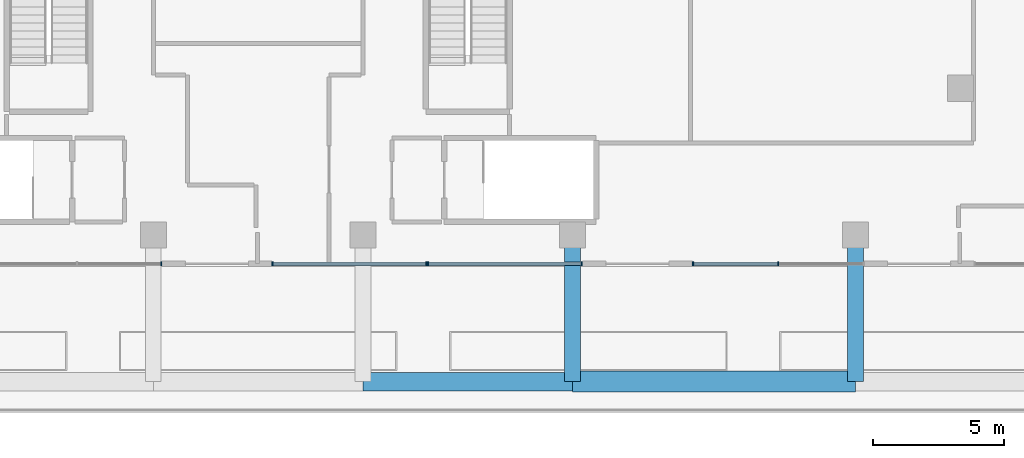
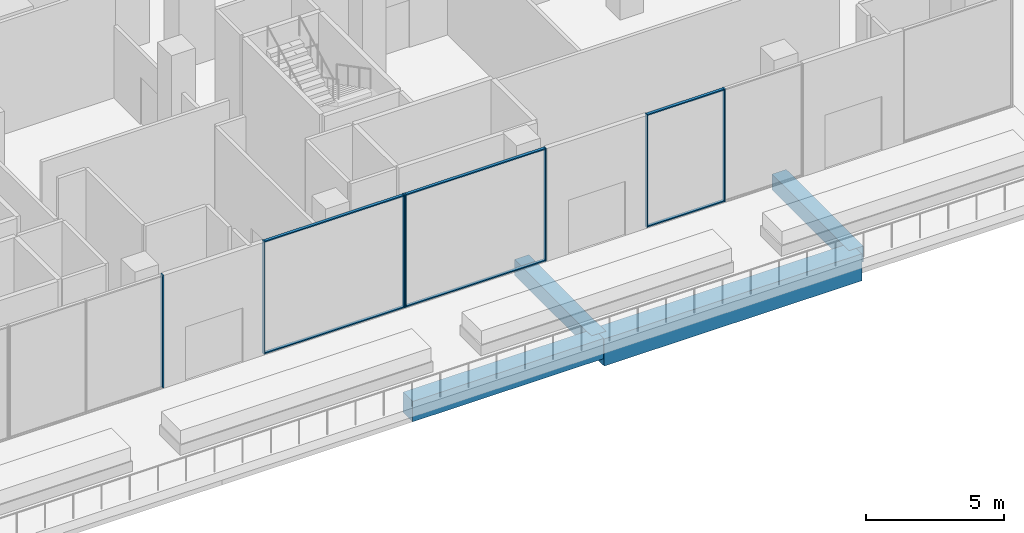
# One storey, part 6 of 32: 13 members, 4 beams, 4 elements without a shape of their own.
"""IFC4 building model written with IfcOpenShell, lengths in metres."""

import ifcopenshell
import ifcopenshell.guid

model = None  # the IFC model being written
_history = None  # IfcOwnerHistory: only IFC2X3 demands one
_inside = {}  # id of a spatial element -> (the spatial element, [elements in it])
_under = {}  # id of a project, library or spatial element -> (it, [spatial elements below it])
_declared = {}  # id of a project -> (the project, [libraries it declares])
_typed = {}  # id of a type object -> (the type object, [elements of that type])
_made_of = {}  # id of a material, layer set ... -> (it, [elements and type objects made of it])


def new_model(schema):
    """Start an empty IFC model of exactly this schema.

    Asked for "IFC4X3", IfcOpenShell would pick the latest addendum, in which some entities
    have other attributes; the version numbers below select the first issue.
    IFC2X3 requires an IfcOwnerHistory on every rooted entity: one is made here for all.
    """
    global model, _history
    if schema == "IFC4X3":
        model = ifcopenshell.file(schema_version=(4, 3, 0, 0))
    else:
        model = ifcopenshell.file(schema=schema)
    _inside.clear()
    _under.clear()
    _declared.clear()
    _typed.clear()
    _made_of.clear()
    _history = None
    if model.schema == "IFC2X3":
        org = make("IfcOrganization", Name="unknown")
        user = make(
            "IfcPersonAndOrganization",
            ThePerson=make("IfcPerson", FamilyName="unknown"),
            TheOrganization=org,
        )
        app = make(
            "IfcApplication",
            ApplicationDeveloper=org,
            Version="unknown",
            ApplicationFullName="unknown",
            ApplicationIdentifier="unknown",
        )
        _history = make(
            "IfcOwnerHistory",
            OwningUser=user,
            OwningApplication=app,
            ChangeAction="ADDED",
            CreationDate=0,
        )
    return model


def make(cls, **values):
    """One entity of the class cls with the attributes given. An attribute that is None is left unset."""
    return model.create_entity(
        cls, **{name: value for name, value in values.items() if value is not None}
    )


def rooted(cls, **values):
    """An entity with a GlobalId (a new one), such as an element, a storey or a relation."""
    return make(cls, GlobalId=ifcopenshell.guid.new(), OwnerHistory=_history, **values)


def si_unit(unit_type, name, prefix=None):
    """IfcSIUnit, for example si_unit("LENGTHUNIT", "METRE", prefix="MILLI")."""
    return make("IfcSIUnit", UnitType=unit_type, Prefix=prefix, Name=name)


def assignment(units):
    """IfcUnitAssignment: the units of a project."""
    return None if units is None else make("IfcUnitAssignment", Units=units)


def point(xyz):
    """IfcCartesianPoint."""
    return None if xyz is None else make("IfcCartesianPoint", Coordinates=xyz)


def direction(xyz):
    """IfcDirection."""
    return None if xyz is None else make("IfcDirection", DirectionRatios=xyz)


def frame(location, z_axis=None, x_axis=None):
    """IfcAxis2Placement3D, a coordinate frame: its origin and axes. An axis left out is left unset."""
    return make(
        "IfcAxis2Placement3D",
        Location=point(location),
        Axis=direction(z_axis),
        RefDirection=direction(x_axis),
    )


def frame_2d(location, x_axis=None):
    """IfcAxis2Placement2D, a coordinate frame in the plane: its origin and x axis."""
    return make(
        "IfcAxis2Placement2D", Location=point(location), RefDirection=direction(x_axis)
    )


def origin():
    """The frame at (0, 0, 0) with its axes left unset."""
    return frame((0.0, 0.0, 0.0))


def origin_2d():
    """The frame at (0, 0) in the plane with its x axis left unset."""
    return frame_2d((0.0, 0.0))


def place(relative_to, where):
    """IfcLocalPlacement: puts the frame where relative to a parent placement (None: the world)."""
    return make(
        "IfcLocalPlacement", PlacementRelTo=relative_to, RelativePlacement=where
    )


def context(
    kind, dimensions, precision=None, world=None, true_north=None, identifier=None
):
    """IfcGeometricRepresentationContext, for example the 3D "Model" context."""
    return make(
        "IfcGeometricRepresentationContext",
        ContextIdentifier=identifier,
        ContextType=kind,
        CoordinateSpaceDimension=dimensions,
        Precision=precision,
        WorldCoordinateSystem=world,
        TrueNorth=true_north,
    )


def subcontext(parent, identifier, kind, view, scale=None):
    """IfcGeometricRepresentationSubContext, for example "Body" below "Model"."""
    return make(
        "IfcGeometricRepresentationSubContext",
        ContextIdentifier=identifier,
        ContextType=kind,
        ParentContext=parent,
        TargetScale=scale,
        TargetView=view,
    )


def project(units=None, contexts=None):
    """IfcProject with its units and contexts."""
    return rooted(
        "IfcProject",
        Name="project",
        RepresentationContexts=contexts,
        UnitsInContext=assignment(units),
    )


def spatial(cls, under=None, at=None, **own):
    """A site, building, storey or space (cls), placed at a placement, below another one or the project."""
    s = rooted(cls, ObjectPlacement=at, **own)
    if under is not None:
        _under.setdefault(under.id(), (under, []))[1].append(s)
    return s


def profile(cls, at=None, kind="AREA", **sizes):
    """A parametric profile (cls). Its sizes go by their IFC names, for example OverallWidth=200.0."""
    return make(cls, ProfileType=kind, Position=at, **sizes)


def rectangle(**sizes):
    """IfcRectangleProfileDef."""
    return profile("IfcRectangleProfileDef", **sizes)


def extrude(swept, where, along, depth):
    """IfcExtrudedAreaSolid: the profile swept, set in the frame where, extruded along a direction by depth."""
    return make(
        "IfcExtrudedAreaSolid",
        SweptArea=swept,
        Position=where,
        ExtrudedDirection=direction(along),
        Depth=depth,
    )


def shape(context_of_items, identifier, shape_type, items):
    """IfcShapeRepresentation: the items that make up one representation, for example the "Body"."""
    return make(
        "IfcShapeRepresentation",
        ContextOfItems=context_of_items,
        RepresentationIdentifier=identifier,
        RepresentationType=shape_type,
        Items=items,
    )


def material(Name=None, Category=None):
    """IfcMaterial."""
    return make("IfcMaterial", Name=Name, Category=Category)


def layer(
    of_material, thickness, ventilated=None, Name=None, Category=None, Priority=None
):
    """IfcMaterialLayer: one layer of a wall or slab, of a material (None: an air gap)."""
    return make(
        "IfcMaterialLayer",
        Material=of_material,
        LayerThickness=thickness,
        IsVentilated=ventilated,
        Name=Name,
        Category=Category,
        Priority=Priority,
    )


def layer_set(layers, Name=None):
    """IfcMaterialLayerSet."""
    return make("IfcMaterialLayerSet", MaterialLayers=layers, LayerSetName=Name)


def material_profile(
    of_material, cross_section, Name=None, Category=None, Priority=None
):
    """IfcMaterialProfile: a cross section and its material."""
    return make(
        "IfcMaterialProfile",
        Name=Name,
        Material=of_material,
        Profile=cross_section,
        Priority=Priority,
        Category=Category,
    )


def profile_set(profiles, Name=None, composite=None):
    """IfcMaterialProfileSet."""
    return make(
        "IfcMaterialProfileSet",
        Name=Name,
        MaterialProfiles=profiles,
        CompositeProfile=composite,
    )


def made_of(thing, what):
    """Note that an element or type object is made of a material, layer set ...; save() writes the relation."""
    if what is not None:
        _made_of.setdefault(what.id(), (what, []))[1].append(thing)
    return thing


def type_object(cls, material=None, **own):
    """A type object (cls), such as IfcWallType, which elements share."""
    return made_of(rooted(cls, **own), material)


def element(
    cls,
    number,
    at=None,
    inside=None,
    cuts=None,
    type_object=None,
    material=None,
    context=None,
    identifier="Body",
    shape_type=None,
    held_by="IfcProductDefinitionShape",
    body=None,
    shapes=None,
    **own,
):
    """One element of the class cls, such as IfcWall. Its Tag is "e" and its number.

    at: its placement. inside: the storey or other place that contains it. cuts: it is an
    opening in that element (IfcRelVoidsElement). A single representation is given by context,
    identifier, shape_type and body (its items); several are given by shapes. held_by: the class
    of the entity that holds the representations. save() writes the other relations.
    """
    e = rooted(cls, Tag="e%d" % number, ObjectPlacement=at, **own)
    if body is not None:
        shapes = [shape(context, identifier, shape_type, body)]
    if shapes is not None:
        e.Representation = make(held_by, Representations=shapes)
    if inside is not None:
        _inside.setdefault(inside.id(), (inside, []))[1].append(e)
    if cuts is not None:
        rooted(
            "IfcRelVoidsElement", RelatingBuildingElement=cuts, RelatedOpeningElement=e
        )
    if type_object is not None:
        _typed.setdefault(type_object.id(), (type_object, []))[1].append(e)
    return made_of(e, material)


def aggregate(whole, parts):
    """IfcRelAggregates: a whole, such as a stair, and the parts it consists of."""
    return rooted("IfcRelAggregates", RelatingObject=whole, RelatedObjects=parts)


def save(model, path):
    """Write the relations noted so far, then the file.

    IfcRelAggregates (storeys below a building ...), IfcRelContainedInSpatialStructure (elements
    in a storey), IfcRelDefinesByType, IfcRelAssociatesMaterial and IfcRelDeclares: one each for
    every whole, place, type object, material and project.
    """
    for whole, parts in _under.values():
        aggregate(whole, parts)
    for where, things in _inside.values():
        rooted(
            "IfcRelContainedInSpatialStructure",
            RelatedElements=things,
            RelatingStructure=where,
        )
    for kind, things in _typed.values():
        rooted("IfcRelDefinesByType", RelatedObjects=things, RelatingType=kind)
    for what, things in _made_of.values():
        rooted("IfcRelAssociatesMaterial", RelatedObjects=things, RelatingMaterial=what)
    for by, libraries in _declared.values():
        rooted("IfcRelDeclares", RelatingContext=by, RelatedDefinitions=libraries)
    model.write(path)


model = new_model("IFC4")

# Units and contexts
model_context = context("Model", 3, precision=1e-05, world=origin(), true_north=direction((0.0, 1.0)))
body_context = subcontext(model_context, "Body", "Model", "MODEL_VIEW")
ifc_project = project(units=[si_unit("LENGTHUNIT", "METRE"), si_unit("AREAUNIT", "SQUARE_METRE"), si_unit("VOLUMEUNIT", "CUBIC_METRE"), si_unit("PLANEANGLEUNIT", "RADIAN"), si_unit("MASSUNIT", "GRAM", prefix="KILO")], contexts=[model_context])

# Site, building, storey
site_placement = place(None, origin())
site = spatial("IfcSite", under=ifc_project, at=site_placement, CompositionType="ELEMENT")
building_placement = place(site_placement, origin())
building = spatial("IfcBuilding", under=site, at=building_placement, Name="Triada Interchange Tower", CompositionType="ELEMENT")
storey_placement = place(building_placement, frame((0.0, 0.0, 14.5)))
storey = spatial("IfcBuildingStorey", under=building, at=storey_placement, Name="L02", CompositionType="ELEMENT", Elevation=14.5)

# Curtain wall, member
ifc_material_1 = material(Name="Aluminium framed glazing", Category="aluminium")
ifc_layer = layer(ifc_material_1, 0.199951171875)
ifc_layer_set = layer_set([ifc_layer], Name="Curtain wall Retail shopfront")
curtain_wall_type = type_object("IfcCurtainWallType", Name="Curtain wall Retail shopfront", PredefinedType="NOTDEFINED", material=ifc_layer_set)
curtain_wall_1_placement = place(storey_placement, origin())
curtain_wall_1 = element("IfcCurtainWall", 1, at=curtain_wall_1_placement, inside=storey, type_object=curtain_wall_type, Name="Retail shopfront CW004 L02", PredefinedType="NOTDEFINED")
ifc_material_2 = material(Name="Aluminium", Category="aluminium")
ifc_material_profile_1 = material_profile(ifc_material_2, rectangle(XDim=0.14990234375, YDim=0.050048828125, at=origin_2d()), Name="Aluminium mullion")
ifc_profile_set_1 = profile_set([ifc_material_profile_1], Name="Aluminium")
member_type_1 = type_object("IfcMemberType", Name="Mullion Retail shopfront 150x50", PredefinedType="MULLION", material=ifc_profile_set_1)
member_1_placement = place(storey_placement, frame((-3.699951171875, -39.199951171875, 0.0), z_axis=(0.0, 0.0, 1.0), x_axis=(0.0, 1.0, 0.0)))
member_1 = element("IfcMember", 2, at=member_1_placement, type_object=member_type_1, Name="CW004 mullion 3", PredefinedType="MULLION", context=body_context, shape_type="SweptSolid", body=[
    extrude(rectangle(XDim=0.14990234375, YDim=0.050048828125, at=origin_2d()), origin(), (0.0, 0.0, 1.0), 5.0),
])
aggregate(curtain_wall_1, [member_1])

# Curtain wall, members
curtain_wall_2_placement = place(storey_placement, origin())
curtain_wall_2 = element("IfcCurtainWall", 3, at=curtain_wall_2_placement, inside=storey, type_object=curtain_wall_type, Name="Retail shopfront CW005 L02", PredefinedType="NOTDEFINED")
member_2_placement = place(storey_placement, frame((0.550048828125, -39.199951171875, 0.0), z_axis=(0.0, 0.0, 1.0), x_axis=(0.0, 1.0, 0.0)))
member_2 = element("IfcMember", 4, at=member_2_placement, type_object=member_type_1, Name="CW005 mullion 1", PredefinedType="MULLION", context=body_context, shape_type="SweptSolid", body=[
    extrude(rectangle(XDim=0.14990234375, YDim=0.050048828125, at=origin_2d()), origin(), (0.0, 0.0, 1.0), 5.0),
])
member_3_placement = place(storey_placement, frame((6.419921875, -39.199951171875, 0.0), z_axis=(0.0, 0.0, 1.0), x_axis=(0.0, 1.0, 0.0)))
member_3 = element("IfcMember", 5, at=member_3_placement, type_object=member_type_1, Name="CW005 mullion 2", PredefinedType="MULLION", context=body_context, shape_type="SweptSolid", body=[
    extrude(rectangle(XDim=0.14990234375, YDim=0.050048828125, at=origin_2d()), origin(), (0.0, 0.0, 1.0), 5.0),
])

curtain_wall_3_placement = place(storey_placement, origin())
curtain_wall_3 = element("IfcCurtainWall", 6, at=curtain_wall_3_placement, inside=storey, type_object=curtain_wall_type, Name="Retail shopfront CW006 L02", PredefinedType="NOTDEFINED")
member_4_placement = place(storey_placement, frame((6.47998046875, -39.199951171875, 0.0), z_axis=(0.0, 0.0, 1.0), x_axis=(0.0, 1.0, 0.0)))
member_4 = element("IfcMember", 7, at=member_4_placement, type_object=member_type_1, Name="CW006 mullion 1", PredefinedType="MULLION", context=body_context, shape_type="SweptSolid", body=[
    extrude(rectangle(XDim=0.14990234375, YDim=0.050048828125, at=origin_2d()), origin(), (0.0, 0.0, 1.0), 5.0),
])
member_5_placement = place(storey_placement, frame((12.35009765625, -39.199951171875, 0.0), z_axis=(0.0, 0.0, 1.0), x_axis=(0.0, 1.0, 0.0)))
member_5 = element("IfcMember", 8, at=member_5_placement, type_object=member_type_1, Name="CW006 mullion 2", PredefinedType="MULLION", context=body_context, shape_type="SweptSolid", body=[
    extrude(rectangle(XDim=0.14990234375, YDim=0.050048828125, at=origin_2d()), origin(), (0.0, 0.0, 1.0), 5.0),
])

curtain_wall_4_placement = place(storey_placement, origin())
curtain_wall_4 = element("IfcCurtainWall", 9, at=curtain_wall_4_placement, inside=storey, type_object=curtain_wall_type, Name="Retail shopfront CW007 L02", PredefinedType="NOTDEFINED")
member_6_placement = place(storey_placement, frame((16.60009765625, -39.199951171875, 0.0), z_axis=(0.0, 0.0, 1.0), x_axis=(0.0, 1.0, 0.0)))
member_6 = element("IfcMember", 10, at=member_6_placement, type_object=member_type_1, Name="CW007 mullion 1", PredefinedType="MULLION", context=body_context, shape_type="SweptSolid", body=[
    extrude(rectangle(XDim=0.14990234375, YDim=0.050048828125, at=origin_2d()), origin(), (0.0, 0.0, 1.0), 5.0),
])
member_7_placement = place(storey_placement, frame((19.85009765625, -39.199951171875, 0.0), z_axis=(0.0, 0.0, 1.0), x_axis=(0.0, 1.0, 0.0)))
member_7 = element("IfcMember", 11, at=member_7_placement, type_object=member_type_1, Name="CW007 mullion 2", PredefinedType="MULLION", context=body_context, shape_type="SweptSolid", body=[
    extrude(rectangle(XDim=0.14990234375, YDim=0.050048828125, at=origin_2d()), origin(), (0.0, 0.0, 1.0), 5.0),
])

# Beams
ifc_material_3 = material(Name="Concrete C40/50", Category="concrete")
ifc_material_profile_2 = material_profile(ifc_material_3, rectangle(XDim=0.60009765625, YDim=0.699951171875, at=origin_2d()), Name="RC 600x700")
ifc_profile_set_2 = profile_set([ifc_material_profile_2], Name="Concrete C40/50")
beam_type_1 = type_object("IfcBeamType", Name="Terrace beam RC 600x700", PredefinedType="BEAM", material=ifc_profile_set_2)
for number, where, z_axis, x_axis, name in (
    (12, (12.0, -43.699951171875, -0.75), (0.0, 1.0, 0.0), (-1.0, 0.0, 0.0), "Terrace beam TE16 L02"),
    (13, (22.800048828125, -43.699951171875, -0.75), (0.0, 1.0, 0.0), (-1.0, 0.0, 0.0), "Terrace beam TE17 L02"),
):
    element("IfcBeam", number, at=place(storey_placement, frame(where, z_axis=z_axis, x_axis=x_axis)), inside=storey, type_object=beam_type_1, Name=name, PredefinedType="BEAM", context=body_context, shape_type="SweptSolid", body=[
        extrude(rectangle(XDim=0.60009765625, YDim=0.699951171875, at=origin_2d()), origin(), (0.0, 0.0, 1.0), 5.599853515625),
    ])
ifc_material_profile_3 = material_profile(ifc_material_3, rectangle(XDim=0.699951171875, YDim=0.89990234375, at=origin_2d()), Name="RC 700x900")
ifc_profile_set_3 = profile_set([ifc_material_profile_3], Name="Concrete C40/50")
beam_type_2 = type_object("IfcBeamType", Name="Terrace beam RC 700x900", PredefinedType="BEAM", material=ifc_profile_set_3)
beam_1_placement = place(storey_placement, frame((4.0, -43.699951171875, -0.85009765625), z_axis=(1.0, 0.0, 0.0), x_axis=(0.0, 1.0, 0.0)))
element("IfcBeam", 14, at=beam_1_placement, inside=storey, type_object=beam_type_2, Name="Terrace beam TE23 L02", PredefinedType="BEAM", context=body_context, shape_type="SweptSolid", body=[
    extrude(rectangle(XDim=0.699951171875, YDim=0.89990234375, at=origin_2d()), origin(), (0.0, 0.0, 1.0), 8.0),
])
ifc_material_profile_4 = material_profile(ifc_material_3, rectangle(XDim=0.800048828125, YDim=1.199951171875, at=origin_2d()), Name="RC 800x1200")
ifc_profile_set_4 = profile_set([ifc_material_profile_4], Name="Concrete C40/50")
beam_type_3 = type_object("IfcBeamType", Name="Terrace beam RC 800x1200", PredefinedType="BEAM", material=ifc_profile_set_4)
beam_2_placement = place(storey_placement, frame((12.0, -43.699951171875, -1.0), z_axis=(1.0, 0.0, 0.0), x_axis=(0.0, 1.0, 0.0)))
element("IfcBeam", 15, at=beam_2_placement, inside=storey, type_object=beam_type_3, Name="Terrace beam TE24 L02", PredefinedType="BEAM", context=body_context, shape_type="SweptSolid", body=[
    extrude(rectangle(XDim=0.800048828125, YDim=1.199951171875, at=origin_2d()), origin(), (0.0, 0.0, 1.0), 10.800048828125),
])

# Member
ifc_material_profile_5 = material_profile(ifc_material_2, rectangle(XDim=0.1201171875, YDim=0.050048828125, at=origin_2d()), Name="Aluminium transom")
ifc_profile_set_5 = profile_set([ifc_material_profile_5], Name="Aluminium")
member_type_2 = type_object("IfcMemberType", Name="Transom Retail shopfront 120x50", PredefinedType="USERDEFINED", material=ifc_profile_set_5)
member_8_placement = place(storey_placement, frame((0.574951171875, -39.199951171875, 0.02490234375), z_axis=(1.0, 0.0, 0.0), x_axis=(0.0, 1.0, 0.0)))
member_8 = element("IfcMember", 16, at=member_8_placement, type_object=member_type_2, Name="CW005 transom 1.1", ObjectType="TRANSOM", PredefinedType="USERDEFINED", context=body_context, shape_type="SweptSolid", body=[
    extrude(rectangle(XDim=0.1201171875, YDim=0.050048828125, at=origin_2d()), origin(), (0.0, 0.0, 1.0), 5.820068359375),
])

member_9_placement = place(storey_placement, frame((0.574951171875, -39.199951171875, 4.97509765625), z_axis=(1.0, 0.0, 0.0), x_axis=(0.0, 1.0, 0.0)))
member_9 = element("IfcMember", 17, at=member_9_placement, type_object=member_type_2, Name="CW005 transom 1.2", ObjectType="TRANSOM", PredefinedType="USERDEFINED", context=body_context, shape_type="SweptSolid", body=[
    extrude(rectangle(XDim=0.1201171875, YDim=0.050048828125, at=origin_2d()), origin(), (0.0, 0.0, 1.0), 5.820068359375),
])

aggregate(curtain_wall_2, [member_2, member_3, member_8, member_9])

member_10_placement = place(storey_placement, frame((6.5048828125, -39.199951171875, 0.02490234375), z_axis=(1.0, 0.0, 0.0), x_axis=(0.0, 1.0, 0.0)))
member_10 = element("IfcMember", 18, at=member_10_placement, type_object=member_type_2, Name="CW006 transom 1.1", ObjectType="TRANSOM", PredefinedType="USERDEFINED", context=body_context, shape_type="SweptSolid", body=[
    extrude(rectangle(XDim=0.1201171875, YDim=0.050048828125, at=origin_2d()), origin(), (0.0, 0.0, 1.0), 5.820068359375),
])

member_11_placement = place(storey_placement, frame((6.5048828125, -39.199951171875, 4.97509765625), z_axis=(1.0, 0.0, 0.0), x_axis=(0.0, 1.0, 0.0)))
member_11 = element("IfcMember", 19, at=member_11_placement, type_object=member_type_2, Name="CW006 transom 1.2", ObjectType="TRANSOM", PredefinedType="USERDEFINED", context=body_context, shape_type="SweptSolid", body=[
    extrude(rectangle(XDim=0.1201171875, YDim=0.050048828125, at=origin_2d()), origin(), (0.0, 0.0, 1.0), 5.820068359375),
])

aggregate(curtain_wall_3, [member_4, member_5, member_10, member_11])

member_12_placement = place(storey_placement, frame((16.625, -39.199951171875, 0.02490234375), z_axis=(1.0, 0.0, 0.0), x_axis=(0.0, 1.0, 0.0)))
member_12 = element("IfcMember", 20, at=member_12_placement, type_object=member_type_2, Name="CW007 transom 1.1", ObjectType="TRANSOM", PredefinedType="USERDEFINED", context=body_context, shape_type="SweptSolid", body=[
    extrude(rectangle(XDim=0.1201171875, YDim=0.050048828125, at=origin_2d()), origin(), (0.0, 0.0, 1.0), 3.199951171875),
])

member_13_placement = place(storey_placement, frame((16.625, -39.199951171875, 4.97509765625), z_axis=(1.0, 0.0, 0.0), x_axis=(0.0, 1.0, 0.0)))
member_13 = element("IfcMember", 21, at=member_13_placement, type_object=member_type_2, Name="CW007 transom 1.2", ObjectType="TRANSOM", PredefinedType="USERDEFINED", context=body_context, shape_type="SweptSolid", body=[
    extrude(rectangle(XDim=0.1201171875, YDim=0.050048828125, at=origin_2d()), origin(), (0.0, 0.0, 1.0), 3.199951171875),
])

aggregate(curtain_wall_4, [member_6, member_7, member_12, member_13])

save(model, "model.ifc")
